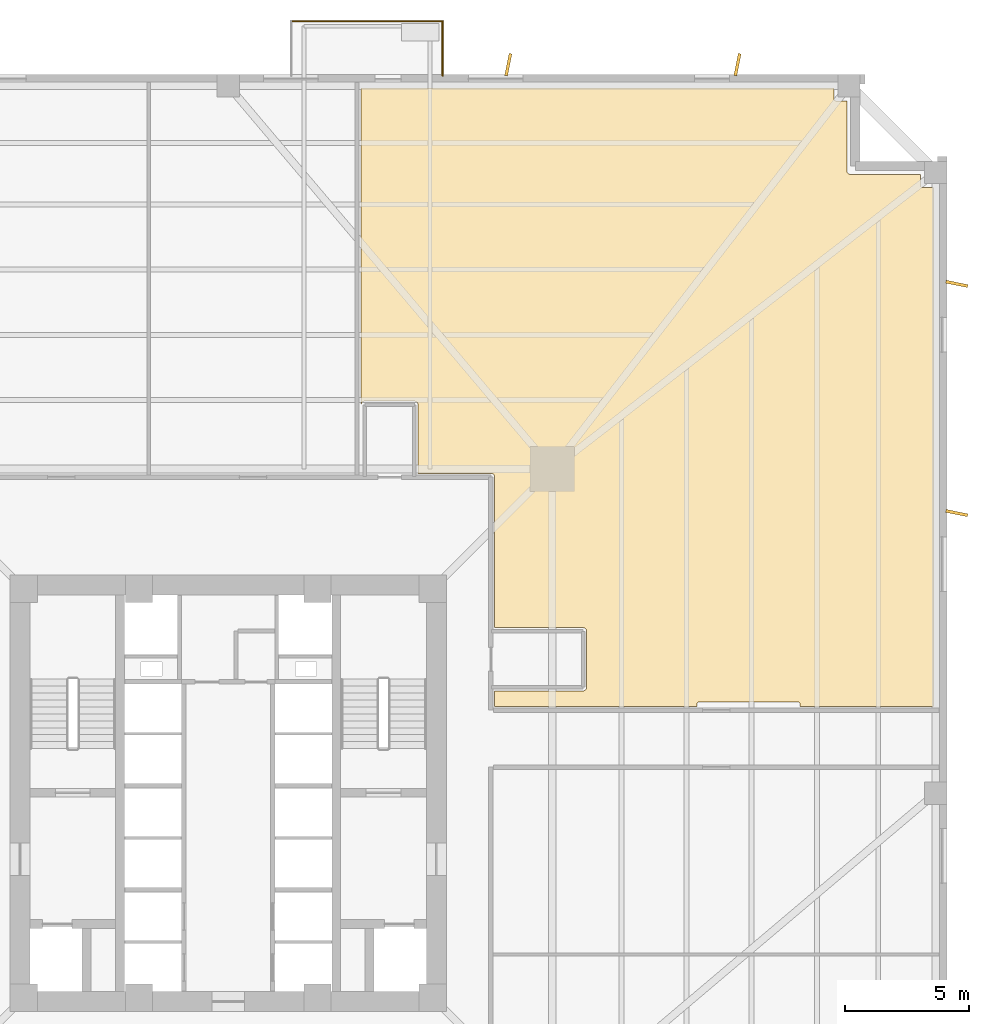
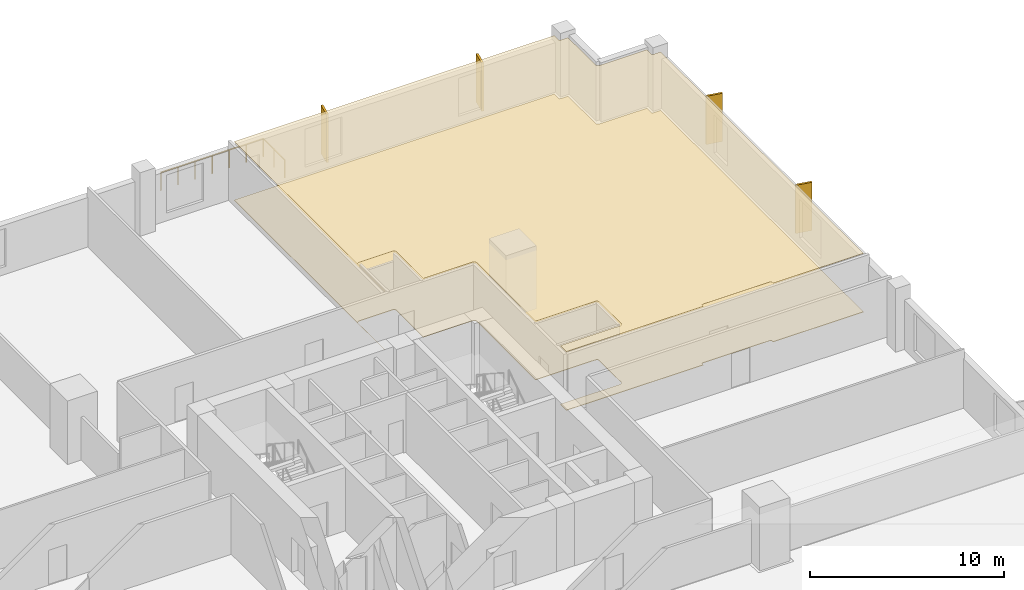
# One storey, part 8 of 8: 6 coverings, 2 railings.
"""IFC4 building model written with IfcOpenShell, lengths in metres."""

from ifc_helpers import new_model, si_unit, direction, frame, origin, origin_2d, place, context, subcontext, project, spatial, polyline, rectangle, circle, outline, extrude, source, transform, mapped, material, layer, layer_set, type_object, element, save


model = new_model("IFC4")

# Units and contexts
model_context = context("Model", 3, precision=1e-05, world=origin(), true_north=direction((0.0, 1.0)))
body_context = subcontext(model_context, "Body", "Model", "MODEL_VIEW")
ifc_project = project(units=[si_unit("LENGTHUNIT", "METRE"), si_unit("AREAUNIT", "SQUARE_METRE"), si_unit("VOLUMEUNIT", "CUBIC_METRE"), si_unit("PLANEANGLEUNIT", "RADIAN"), si_unit("MASSUNIT", "GRAM", prefix="KILO"), si_unit("THERMODYNAMICTEMPERATUREUNIT", "KELVIN")], contexts=[model_context])

# Site, building, storey
site_placement = place(None, origin())
site = spatial("IfcSite", under=ifc_project, at=site_placement, CompositionType="ELEMENT")
building_placement = place(site_placement, origin())
building = spatial("IfcBuilding", under=site, at=building_placement, Name="Kosmvard Interchange Tower", CompositionType="ELEMENT")
storey_placement = place(building_placement, frame((0.0, 0.0, 66.0)))
storey = spatial("IfcBuildingStorey", under=building, at=storey_placement, Name="L15", CompositionType="ELEMENT", Elevation=66.0)

# Coverings
ifc_material_1 = material(Name="Acoustic gypsum ceiling tile")
ifc_layer_1 = layer(ifc_material_1, 0.02490234375, Name="Acoustic gypsum ceiling tile")
ifc_layer_set_1 = layer_set([ifc_layer_1], Name="Acoustic gypsum ceiling tile")
covering_type_1 = type_object("IfcCoveringType", Name="Acoustic Perforated Suspended Ceiling 25", PredefinedType="CEILING", material=ifc_layer_set_1)
covering_1_placement = place(storey_placement, frame((0.0, 0.0, 3.695068359375)))
element("IfcCovering", 1, at=covering_1_placement, inside=storey, type_object=covering_type_1, Name="L15 Acoustic Ceiling L15-OPNE", PredefinedType="CEILING", context=body_context, shape_type="SweptSolid", body=[
    extrude(outline(polyline([(10.73095703125, 12.832763671875), (10.73486328125, 12.826416015625), (10.738525390625, 12.819580078125), (10.74169921875, 12.81298828125), (10.74462890625, 12.8056640625), (10.7470703125, 12.798828125), (10.749267578125, 12.791259765625), (10.751220703125, 12.7841796875), (10.752685546875, 12.7763671875), (10.753662109375, 12.76904296875), (10.754638671875, 12.76123046875), (10.7548828125, 12.75390625), (10.7548828125, 12.75), (10.7548828125, 6.677978515625), (14.320068359375, 6.677978515625), (14.323974609375, 6.677978515625), (14.33056640625, 6.677490234375), (14.33837890625, 6.6767578125), (14.344970703125, 6.67578125), (14.352783203125, 6.67431640625), (14.359130859375, 6.672607421875), (14.36669921875, 6.67041015625), (14.373046875, 6.668212890625), (14.380126953125, 6.6650390625), (14.38623046875, 6.662353515625), (14.39306640625, 6.65869140625), (14.39892578125, 6.6552734375), (14.405517578125, 6.65087890625), (14.410888671875, 6.646728515625), (14.4169921875, 6.641845703125), (14.421875, 6.637451171875), (14.42724609375, 6.6318359375), (14.431884765625, 6.626953125), (14.436767578125, 6.620849609375), (14.440673828125, 6.615478515625), (14.445068359375, 6.60888671875), (14.44873046875, 6.60302734375), (14.452392578125, 6.59619140625), (14.455078125, 6.59033203125), (14.458251953125, 6.5830078125), (14.46044921875, 6.57666015625), (14.462646484375, 6.569091796875), (14.46435546875, 6.562744140625), (14.4658203125, 6.554931640625), (14.466796875, 6.54833984375), (14.467529296875, 6.54052734375), (14.468017578125, 6.533935546875), (14.468017578125, 6.530029296875), (14.468017578125, 4.280029296875), (14.468017578125, 4.276123046875), (14.467529296875, 4.269287109375), (14.466796875, 4.261474609375), (14.4658203125, 4.2548828125), (14.46435546875, 4.247314453125), (14.462646484375, 4.24072265625), (14.46044921875, 4.2333984375), (14.458251953125, 4.22705078125), (14.455078125, 4.2197265625), (14.452392578125, 4.2138671875), (14.44873046875, 4.206787109375), (14.445068359375, 4.201171875), (14.440673828125, 4.194580078125), (14.436767578125, 4.189208984375), (14.431884765625, 4.18310546875), (14.42724609375, 4.17822265625), (14.421875, 4.172607421875), (14.4169921875, 4.168212890625), (14.410888671875, 4.163330078125), (14.405517578125, 4.1591796875), (14.39892578125, 4.15478515625), (14.39306640625, 4.1513671875), (14.38623046875, 4.147705078125), (14.380126953125, 4.144775390625), (14.373046875, 4.141845703125), (14.36669921875, 4.1396484375), (14.359130859375, 4.137451171875), (14.352783203125, 4.1357421875), (14.344970703125, 4.13427734375), (14.33837890625, 4.13330078125), (14.33056640625, 4.13232421875), (14.323974609375, 4.132080078125), (14.320068359375, 4.132080078125), (10.7548828125, 4.132080078125), (10.7548828125, 3.5048828125), (18.919921875, 3.5048828125), (18.919921875, 3.60009765625), (18.92041015625, 3.60791015625), (18.921630859375, 3.61572265625), (18.92333984375, 3.623291015625), (18.926025390625, 3.630615234375), (18.929443359375, 3.6376953125), (18.93359375, 3.64453125), (18.938232421875, 3.650634765625), (18.943359375, 3.656494140625), (18.94921875, 3.661865234375), (18.95556640625, 3.66650390625), (18.96240234375, 3.670654296875), (18.969482421875, 3.673828125), (18.976806640625, 3.676513671875), (18.984375, 3.678466796875), (18.9921875, 3.6796875), (19.0, 3.679931640625), (23.0, 3.679931640625), (23.0078125, 3.6796875), (23.015625, 3.678466796875), (23.023193359375, 3.676513671875), (23.030517578125, 3.673828125), (23.03759765625, 3.670654296875), (23.04443359375, 3.66650390625), (23.05078125, 3.661865234375), (23.056640625, 3.656494140625), (23.061767578125, 3.650634765625), (23.06640625, 3.64453125), (23.070556640625, 3.6376953125), (23.073974609375, 3.630615234375), (23.07666015625, 3.623291015625), (23.078369140625, 3.61572265625), (23.07958984375, 3.60791015625), (23.080078125, 3.60009765625), (23.080078125, 3.5048828125), (28.465087890625, 3.5048828125), (28.465087890625, 24.43994140625), (28.02001953125, 24.43994140625), (28.01220703125, 24.4404296875), (28.00439453125, 24.441650390625), (27.996826171875, 24.443359375), (27.989501953125, 24.446044921875), (27.982177734375, 24.449462890625), (27.9755859375, 24.453369140625), (27.96923828125, 24.458251953125), (27.96337890625, 24.46337890625), (27.958251953125, 24.46923828125), (27.953369140625, 24.4755859375), (27.949462890625, 24.482177734375), (27.946044921875, 24.489501953125), (27.943359375, 24.496826171875), (27.941650390625, 24.50439453125), (27.9404296875, 24.51220703125), (27.93994140625, 24.52001953125), (27.93994140625, 24.965087890625), (25.1201171875, 24.965087890625), (25.1162109375, 24.965087890625), (25.108642578125, 24.965576171875), (25.100830078125, 24.96630859375), (25.09375, 24.96728515625), (25.0859375, 24.96875), (25.078857421875, 24.970703125), (25.0712890625, 24.972900390625), (25.064453125, 24.975341796875), (25.05712890625, 24.978515625), (25.05029296875, 24.9814453125), (25.043701171875, 24.985107421875), (25.037353515625, 24.989013671875), (25.03076171875, 24.993408203125), (25.02490234375, 24.997802734375), (25.0185546875, 25.002685546875), (25.01318359375, 25.0078125), (25.0078125, 25.01318359375), (25.002685546875, 25.0185546875), (24.997802734375, 25.02490234375), (24.993408203125, 25.03076171875), (24.989013671875, 25.037353515625), (24.985107421875, 25.043701171875), (24.9814453125, 25.05029296875), (24.978515625, 25.05712890625), (24.975341796875, 25.064453125), (24.972900390625, 25.0712890625), (24.970703125, 25.078857421875), (24.96875, 25.0859375), (24.96728515625, 25.09375), (24.96630859375, 25.100830078125), (24.965576171875, 25.108642578125), (24.965087890625, 25.1162109375), (24.965087890625, 25.1201171875), (24.965087890625, 27.93994140625), (24.52001953125, 27.93994140625), (24.51220703125, 27.9404296875), (24.50439453125, 27.941650390625), (24.496826171875, 27.943359375), (24.489501953125, 27.946044921875), (24.482177734375, 27.949462890625), (24.4755859375, 27.953369140625), (24.46923828125, 27.958251953125), (24.46337890625, 27.96337890625), (24.458251953125, 27.96923828125), (24.453369140625, 27.9755859375), (24.449462890625, 27.982177734375), (24.446044921875, 27.989501953125), (24.443359375, 27.996826171875), (24.441650390625, 28.00439453125), (24.4404296875, 28.01220703125), (24.43994140625, 28.02001953125), (24.43994140625, 28.465087890625), (5.360107421875, 28.465087890625), (5.360107421875, 12.905029296875), (5.363037109375, 12.905029296875), (5.363037109375, 15.669921875), (5.36328125, 15.673828125), (5.363525390625, 15.680419921875), (5.3642578125, 15.6884765625), (5.365234375, 15.695068359375), (5.36669921875, 15.70263671875), (5.368408203125, 15.709228515625), (5.37060546875, 15.716796875), (5.373046875, 15.722900390625), (5.3759765625, 15.730224609375), (5.37890625, 15.736328125), (5.382568359375, 15.7431640625), (5.385986328125, 15.748779296875), (5.39013671875, 15.75537109375), (5.394287109375, 15.7607421875), (5.399169921875, 15.766845703125), (5.40380859375, 15.771728515625), (5.409423828125, 15.77734375), (5.414306640625, 15.781982421875), (5.420166015625, 15.786865234375), (5.425537109375, 15.790771484375), (5.43212890625, 15.795166015625), (5.43798828125, 15.798583984375), (5.44482421875, 15.80224609375), (5.450927734375, 15.80517578125), (5.4580078125, 15.80810546875), (5.46435546875, 15.810302734375), (5.471923828125, 15.812744140625), (5.478271484375, 15.814208984375), (5.486083984375, 15.81591796875), (5.49267578125, 15.81689453125), (5.50048828125, 15.817626953125), (5.507080078125, 15.81787109375), (5.510986328125, 15.818115234375), (7.510986328125, 15.818115234375), (7.51513671875, 15.81787109375), (7.521728515625, 15.817626953125), (7.529541015625, 15.81689453125), (7.5361328125, 15.81591796875), (7.543701171875, 15.814208984375), (7.55029296875, 15.812744140625), (7.557861328125, 15.810302734375), (7.56396484375, 15.80810546875), (7.5712890625, 15.80517578125), (7.577392578125, 15.80224609375), (7.584228515625, 15.798583984375), (7.58984375, 15.795166015625), (7.596435546875, 15.790771484375), (7.601806640625, 15.786865234375), (7.60791015625, 15.78173828125), (7.61279296875, 15.77734375), (7.618408203125, 15.771728515625), (7.622802734375, 15.766845703125), (7.6279296875, 15.7607421875), (7.6318359375, 15.75537109375), (7.63623046875, 15.748779296875), (7.6396484375, 15.7431640625), (7.643310546875, 15.736328125), (7.646240234375, 15.730224609375), (7.649169921875, 15.722900390625), (7.6513671875, 15.716796875), (7.65380859375, 15.709228515625), (7.6552734375, 15.70263671875), (7.656982421875, 15.695068359375), (7.657958984375, 15.6884765625), (7.65869140625, 15.6806640625), (7.658935546875, 15.673828125), (7.6591796875, 15.669921875), (7.6591796875, 12.905029296875), (10.60009765625, 12.905029296875), (10.60400390625, 12.90478515625), (10.611328125, 12.904541015625), (10.619140625, 12.90380859375), (10.62646484375, 12.902587890625), (10.634033203125, 12.901123046875), (10.64111328125, 12.8994140625), (10.648681640625, 12.89697265625), (10.65576171875, 12.89453125), (10.662841796875, 12.8916015625), (10.669677734375, 12.888427734375), (10.676513671875, 12.884765625), (10.6826171875, 12.881103515625), (10.689208984375, 12.876708984375), (10.6953125, 12.872314453125), (10.701416015625, 12.8671875), (10.706787109375, 12.8623046875), (10.712158203125, 12.85693359375), (10.71728515625, 12.851318359375), (10.72216796875, 12.84521484375), (10.7265625, 12.83935546875), (10.73095703125, 12.832763671875)])), origin(), (0.0, 0.0, 1.0), 0.02490234375),
])
ifc_material_2 = material(Name="Polished terrazzo flooring")
ifc_layer_2 = layer(ifc_material_2, 0.030029296875, Name="Polished terrazzo flooring")
ifc_layer_set_2 = layer_set([ifc_layer_2], Name="Polished terrazzo flooring")
covering_type_2 = type_object("IfcCoveringType", Name="Heavy-Duty Terrazzo & Porcelain Flooring 30", PredefinedType="FLOORING", material=ifc_layer_set_2)
covering_2_placement = place(storey_placement, origin())
element("IfcCovering", 2, at=covering_2_placement, inside=storey, type_object=covering_type_2, Name="L15 Floor Finish L15-OPNE", PredefinedType="FLOORING", context=body_context, shape_type="SweptSolid", body=[
    extrude(outline(polyline([(10.73095703125, 12.832763671875), (10.73486328125, 12.826416015625), (10.738525390625, 12.819580078125), (10.74169921875, 12.81298828125), (10.74462890625, 12.8056640625), (10.7470703125, 12.798828125), (10.749267578125, 12.791259765625), (10.751220703125, 12.7841796875), (10.752685546875, 12.7763671875), (10.753662109375, 12.76904296875), (10.754638671875, 12.76123046875), (10.7548828125, 12.75390625), (10.7548828125, 12.75), (10.7548828125, 6.677978515625), (14.320068359375, 6.677978515625), (14.323974609375, 6.677978515625), (14.33056640625, 6.677490234375), (14.33837890625, 6.6767578125), (14.344970703125, 6.67578125), (14.352783203125, 6.67431640625), (14.359130859375, 6.672607421875), (14.36669921875, 6.67041015625), (14.373046875, 6.668212890625), (14.380126953125, 6.6650390625), (14.38623046875, 6.662353515625), (14.39306640625, 6.65869140625), (14.39892578125, 6.6552734375), (14.405517578125, 6.65087890625), (14.410888671875, 6.646728515625), (14.4169921875, 6.641845703125), (14.421875, 6.637451171875), (14.42724609375, 6.6318359375), (14.431884765625, 6.626953125), (14.436767578125, 6.620849609375), (14.440673828125, 6.615478515625), (14.445068359375, 6.60888671875), (14.44873046875, 6.60302734375), (14.452392578125, 6.59619140625), (14.455078125, 6.59033203125), (14.458251953125, 6.5830078125), (14.46044921875, 6.57666015625), (14.462646484375, 6.569091796875), (14.46435546875, 6.562744140625), (14.4658203125, 6.554931640625), (14.466796875, 6.54833984375), (14.467529296875, 6.54052734375), (14.468017578125, 6.533935546875), (14.468017578125, 6.530029296875), (14.468017578125, 4.280029296875), (14.468017578125, 4.276123046875), (14.467529296875, 4.269287109375), (14.466796875, 4.261474609375), (14.4658203125, 4.2548828125), (14.46435546875, 4.247314453125), (14.462646484375, 4.24072265625), (14.46044921875, 4.2333984375), (14.458251953125, 4.22705078125), (14.455078125, 4.2197265625), (14.452392578125, 4.2138671875), (14.44873046875, 4.206787109375), (14.445068359375, 4.201171875), (14.440673828125, 4.194580078125), (14.436767578125, 4.189208984375), (14.431884765625, 4.18310546875), (14.42724609375, 4.17822265625), (14.421875, 4.172607421875), (14.4169921875, 4.168212890625), (14.410888671875, 4.163330078125), (14.405517578125, 4.1591796875), (14.39892578125, 4.15478515625), (14.39306640625, 4.1513671875), (14.38623046875, 4.147705078125), (14.380126953125, 4.144775390625), (14.373046875, 4.141845703125), (14.36669921875, 4.1396484375), (14.359130859375, 4.137451171875), (14.352783203125, 4.1357421875), (14.344970703125, 4.13427734375), (14.33837890625, 4.13330078125), (14.33056640625, 4.13232421875), (14.323974609375, 4.132080078125), (14.320068359375, 4.132080078125), (10.7548828125, 4.132080078125), (10.7548828125, 3.5048828125), (18.919921875, 3.5048828125), (18.919921875, 3.60009765625), (18.92041015625, 3.60791015625), (18.921630859375, 3.61572265625), (18.92333984375, 3.623291015625), (18.926025390625, 3.630615234375), (18.929443359375, 3.6376953125), (18.93359375, 3.64453125), (18.938232421875, 3.650634765625), (18.943359375, 3.656494140625), (18.94921875, 3.661865234375), (18.95556640625, 3.66650390625), (18.96240234375, 3.670654296875), (18.969482421875, 3.673828125), (18.976806640625, 3.676513671875), (18.984375, 3.678466796875), (18.9921875, 3.6796875), (19.0, 3.679931640625), (23.0, 3.679931640625), (23.0078125, 3.6796875), (23.015625, 3.678466796875), (23.023193359375, 3.676513671875), (23.030517578125, 3.673828125), (23.03759765625, 3.670654296875), (23.04443359375, 3.66650390625), (23.05078125, 3.661865234375), (23.056640625, 3.656494140625), (23.061767578125, 3.650634765625), (23.06640625, 3.64453125), (23.070556640625, 3.6376953125), (23.073974609375, 3.630615234375), (23.07666015625, 3.623291015625), (23.078369140625, 3.61572265625), (23.07958984375, 3.60791015625), (23.080078125, 3.60009765625), (23.080078125, 3.5048828125), (28.465087890625, 3.5048828125), (28.465087890625, 24.43994140625), (28.02001953125, 24.43994140625), (28.01220703125, 24.4404296875), (28.00439453125, 24.441650390625), (27.996826171875, 24.443359375), (27.989501953125, 24.446044921875), (27.982177734375, 24.449462890625), (27.9755859375, 24.453369140625), (27.96923828125, 24.458251953125), (27.96337890625, 24.46337890625), (27.958251953125, 24.46923828125), (27.953369140625, 24.4755859375), (27.949462890625, 24.482177734375), (27.946044921875, 24.489501953125), (27.943359375, 24.496826171875), (27.941650390625, 24.50439453125), (27.9404296875, 24.51220703125), (27.93994140625, 24.52001953125), (27.93994140625, 24.965087890625), (25.1201171875, 24.965087890625), (25.1162109375, 24.965087890625), (25.108642578125, 24.965576171875), (25.100830078125, 24.96630859375), (25.09375, 24.96728515625), (25.0859375, 24.96875), (25.078857421875, 24.970703125), (25.0712890625, 24.972900390625), (25.064453125, 24.975341796875), (25.05712890625, 24.978515625), (25.05029296875, 24.9814453125), (25.043701171875, 24.985107421875), (25.037353515625, 24.989013671875), (25.03076171875, 24.993408203125), (25.02490234375, 24.997802734375), (25.0185546875, 25.002685546875), (25.01318359375, 25.0078125), (25.0078125, 25.01318359375), (25.002685546875, 25.0185546875), (24.997802734375, 25.02490234375), (24.993408203125, 25.03076171875), (24.989013671875, 25.037353515625), (24.985107421875, 25.043701171875), (24.9814453125, 25.05029296875), (24.978515625, 25.05712890625), (24.975341796875, 25.064453125), (24.972900390625, 25.0712890625), (24.970703125, 25.078857421875), (24.96875, 25.0859375), (24.96728515625, 25.09375), (24.96630859375, 25.100830078125), (24.965576171875, 25.108642578125), (24.965087890625, 25.1162109375), (24.965087890625, 25.1201171875), (24.965087890625, 27.93994140625), (24.52001953125, 27.93994140625), (24.51220703125, 27.9404296875), (24.50439453125, 27.941650390625), (24.496826171875, 27.943359375), (24.489501953125, 27.946044921875), (24.482177734375, 27.949462890625), (24.4755859375, 27.953369140625), (24.46923828125, 27.958251953125), (24.46337890625, 27.96337890625), (24.458251953125, 27.96923828125), (24.453369140625, 27.9755859375), (24.449462890625, 27.982177734375), (24.446044921875, 27.989501953125), (24.443359375, 27.996826171875), (24.441650390625, 28.00439453125), (24.4404296875, 28.01220703125), (24.43994140625, 28.02001953125), (24.43994140625, 28.465087890625), (5.360107421875, 28.465087890625), (5.360107421875, 12.905029296875), (5.363037109375, 12.905029296875), (5.363037109375, 15.669921875), (5.36328125, 15.673828125), (5.363525390625, 15.680419921875), (5.3642578125, 15.6884765625), (5.365234375, 15.695068359375), (5.36669921875, 15.70263671875), (5.368408203125, 15.709228515625), (5.37060546875, 15.716796875), (5.373046875, 15.722900390625), (5.3759765625, 15.730224609375), (5.37890625, 15.736328125), (5.382568359375, 15.7431640625), (5.385986328125, 15.748779296875), (5.39013671875, 15.75537109375), (5.394287109375, 15.7607421875), (5.399169921875, 15.766845703125), (5.40380859375, 15.771728515625), (5.409423828125, 15.77734375), (5.414306640625, 15.781982421875), (5.420166015625, 15.786865234375), (5.425537109375, 15.790771484375), (5.43212890625, 15.795166015625), (5.43798828125, 15.798583984375), (5.44482421875, 15.80224609375), (5.450927734375, 15.80517578125), (5.4580078125, 15.80810546875), (5.46435546875, 15.810302734375), (5.471923828125, 15.812744140625), (5.478271484375, 15.814208984375), (5.486083984375, 15.81591796875), (5.49267578125, 15.81689453125), (5.50048828125, 15.817626953125), (5.507080078125, 15.81787109375), (5.510986328125, 15.818115234375), (7.510986328125, 15.818115234375), (7.51513671875, 15.81787109375), (7.521728515625, 15.817626953125), (7.529541015625, 15.81689453125), (7.5361328125, 15.81591796875), (7.543701171875, 15.814208984375), (7.55029296875, 15.812744140625), (7.557861328125, 15.810302734375), (7.56396484375, 15.80810546875), (7.5712890625, 15.80517578125), (7.577392578125, 15.80224609375), (7.584228515625, 15.798583984375), (7.58984375, 15.795166015625), (7.596435546875, 15.790771484375), (7.601806640625, 15.786865234375), (7.60791015625, 15.78173828125), (7.61279296875, 15.77734375), (7.618408203125, 15.771728515625), (7.622802734375, 15.766845703125), (7.6279296875, 15.7607421875), (7.6318359375, 15.75537109375), (7.63623046875, 15.748779296875), (7.6396484375, 15.7431640625), (7.643310546875, 15.736328125), (7.646240234375, 15.730224609375), (7.649169921875, 15.722900390625), (7.6513671875, 15.716796875), (7.65380859375, 15.709228515625), (7.6552734375, 15.70263671875), (7.656982421875, 15.695068359375), (7.657958984375, 15.6884765625), (7.65869140625, 15.6806640625), (7.658935546875, 15.673828125), (7.6591796875, 15.669921875), (7.6591796875, 12.905029296875), (10.60009765625, 12.905029296875), (10.60400390625, 12.90478515625), (10.611328125, 12.904541015625), (10.619140625, 12.90380859375), (10.62646484375, 12.902587890625), (10.634033203125, 12.901123046875), (10.64111328125, 12.8994140625), (10.648681640625, 12.89697265625), (10.65576171875, 12.89453125), (10.662841796875, 12.8916015625), (10.669677734375, 12.888427734375), (10.676513671875, 12.884765625), (10.6826171875, 12.881103515625), (10.689208984375, 12.876708984375), (10.6953125, 12.872314453125), (10.701416015625, 12.8671875), (10.706787109375, 12.8623046875), (10.712158203125, 12.85693359375), (10.71728515625, 12.851318359375), (10.72216796875, 12.84521484375), (10.7265625, 12.83935546875), (10.73095703125, 12.832763671875)])), origin(), (0.0, 0.0, 1.0), 0.030029296875),
])

# Railing
ifc_material_3 = material(Name="Steel S355", Category="steel")
railing_type = type_object("IfcRailingType", Name="Observation & Balcony Glass-Infill Balustrade 1150", PredefinedType="BALUSTRADE", material=ifc_material_3)
shared_shape_1 = source(origin(), body_context, "Body", "SweptSolid", [
    extrude(circle(Radius=0.02392578125, at=origin_2d()), frame((0.0, 0.0, 1.1259765625), z_axis=(0.0, 1.0, 0.0), x_axis=(-1.0, 0.0, 0.0)), (0.0, 0.0, 1.0), 2.199951171875),
    extrude(circle(Radius=0.02099609375, at=origin_2d()), origin(), (0.0, 0.0, 1.0), 1.101806640625),
    extrude(circle(Radius=0.02099609375, at=origin_2d()), frame((0.0, 1.10009765625, 0.0)), (0.0, 0.0, 1.0), 1.101806640625),
    extrude(circle(Radius=0.02099609375, at=origin_2d()), frame((0.0, 2.199951171875, 0.0)), (0.0, 0.0, 1.0), 1.101806640625),
])
railing_1_placement = place(storey_placement, frame((8.64990234375, 28.949951171875, 0.0)))
element("IfcRailing", 3, at=railing_1_placement, inside=storey, type_object=railing_type, Name="L15 Outdoor Terrace Guard BAL-L15-N-A", PredefinedType="BALUSTRADE", context=body_context, shape_type="MappedRepresentation", body=[
    mapped(shared_shape_1, transform((0.0, 0.0, 0.0), scale=1.0)),
])

# Coverings
ifc_material_4 = material(Name="Architectural anodised aluminium", Category="aluminium")
ifc_layer_3 = layer(ifc_material_4, 0.1201171875, Name="Architectural anodised aluminium")
ifc_layer_set_3 = layer_set([ifc_layer_3], Name="Architectural anodised aluminium")
covering_type_3 = type_object("IfcCoveringType", Name="Rotating Vertical Sun-Breaker Fin 900x120 Aluminium", PredefinedType="CLADDING", material=ifc_layer_set_3)
shared_shape_2 = source(origin(), body_context, "Body", "SweptSolid", [
    extrude(rectangle(XDim=0.89990234375, YDim=0.1201171875, at=origin_2d()), origin(), (0.0, 0.0, 1.0), 3.0400390625),
])
for number, where, z_axis, x_axis, name in (
    (4, (29.39990234375, 11.3037109375, 0.0400390625), (0.0, 0.0, 1.0), (0.979959485964, -0.199196902256, 0.0), "L15 Rotating Vertical Sun-Breaker Fin 07"),
    (5, (29.39990234375, 20.552001953125, 0.0400390625), (0.0, 0.0, 1.0), (0.979959485964, -0.199196902256, 0.0), "L15 Rotating Vertical Sun-Breaker Fin 08"),
    (6, (20.552001953125, 29.39990234375, 0.0400390625), (0.0, 0.0, 1.0), (0.199196902256, 0.979959485964, 0.0), "L15 Rotating Vertical Sun-Breaker Fin 09"),
    (7, (11.3037109375, 29.39990234375, 0.0400390625), (0.0, 0.0, 1.0), (0.199196902256, 0.979959485964, 0.0), "L15 Rotating Vertical Sun-Breaker Fin 10"),
):
    element("IfcCovering", number, at=place(storey_placement, frame(where, z_axis=z_axis, x_axis=x_axis)), inside=storey, type_object=covering_type_3, Name=name, PredefinedType="CLADDING", context=body_context, shape_type="MappedRepresentation", body=[
        mapped(shared_shape_2, transform((0.0, 0.0, 0.0), scale=1.0)),
    ])

# Railing
shared_shape_3 = source(origin(), body_context, "Body", "SweptSolid", [
    extrude(circle(Radius=0.02392578125, at=origin_2d()), frame((0.0, 0.0, 1.1259765625), z_axis=(-1.0, 0.0, 0.0), x_axis=(0.0, -1.0, 0.0)), (0.0, 0.0, 1.0), 6.099853515625),
    extrude(circle(Radius=0.02099609375, at=origin_2d()), origin(), (0.0, 0.0, 1.0), 1.101806640625),
    extrude(circle(Radius=0.02099609375, at=origin_2d()), frame((-1.0166015625, 0.0, 0.0)), (0.0, 0.0, 1.0), 1.101806640625),
    extrude(circle(Radius=0.02099609375, at=origin_2d()), frame((-2.033203125, 0.0, 0.0)), (0.0, 0.0, 1.0), 1.101806640625),
    extrude(circle(Radius=0.02099609375, at=origin_2d()), frame((-3.0498046875, 0.0, 0.0)), (0.0, 0.0, 1.0), 1.101806640625),
    extrude(circle(Radius=0.02099609375, at=origin_2d()), frame((-4.066650390625, 0.0, 0.0)), (0.0, 0.0, 1.0), 1.101806640625),
    extrude(circle(Radius=0.02099609375, at=origin_2d()), frame((-5.083251953125, 0.0, 0.0)), (0.0, 0.0, 1.0), 1.101806640625),
    extrude(circle(Radius=0.02099609375, at=origin_2d()), frame((-6.099853515625, 0.0, 0.0)), (0.0, 0.0, 1.0), 1.101806640625),
])
railing_2_placement = place(storey_placement, frame((8.64990234375, 31.14990234375, 0.0)))
element("IfcRailing", 8, at=railing_2_placement, inside=storey, type_object=railing_type, Name="L15 Outdoor Terrace Guard BAL-L15-N-B", PredefinedType="BALUSTRADE", context=body_context, shape_type="MappedRepresentation", body=[
    mapped(shared_shape_3, transform((0.0, 0.0, 0.0), scale=1.0)),
])

save(model, "model.ifc")
